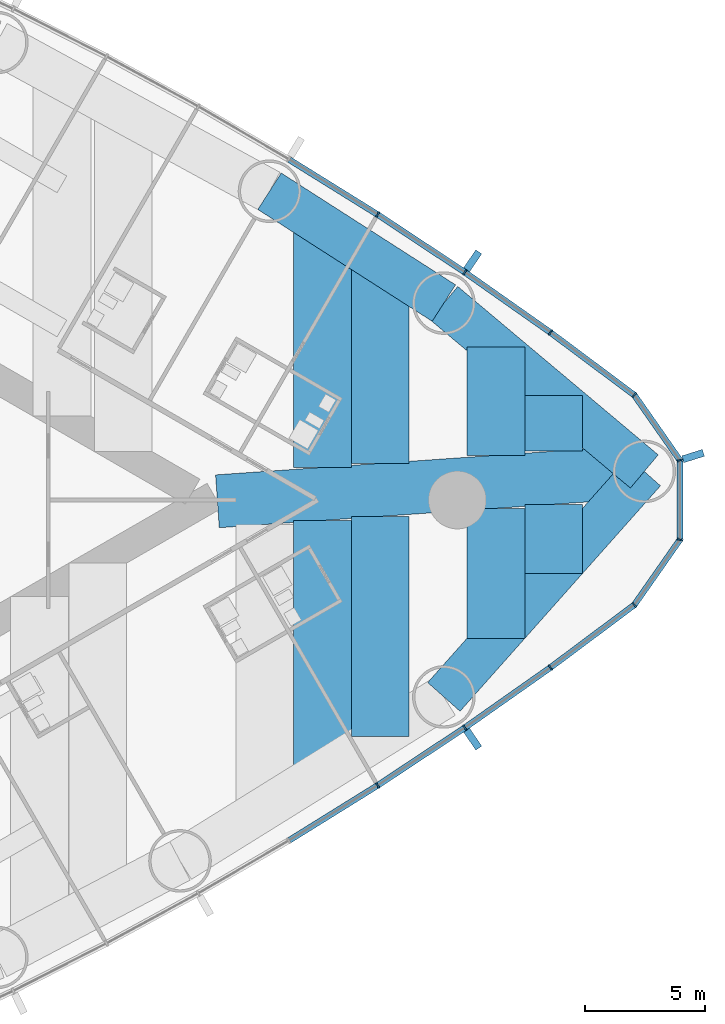
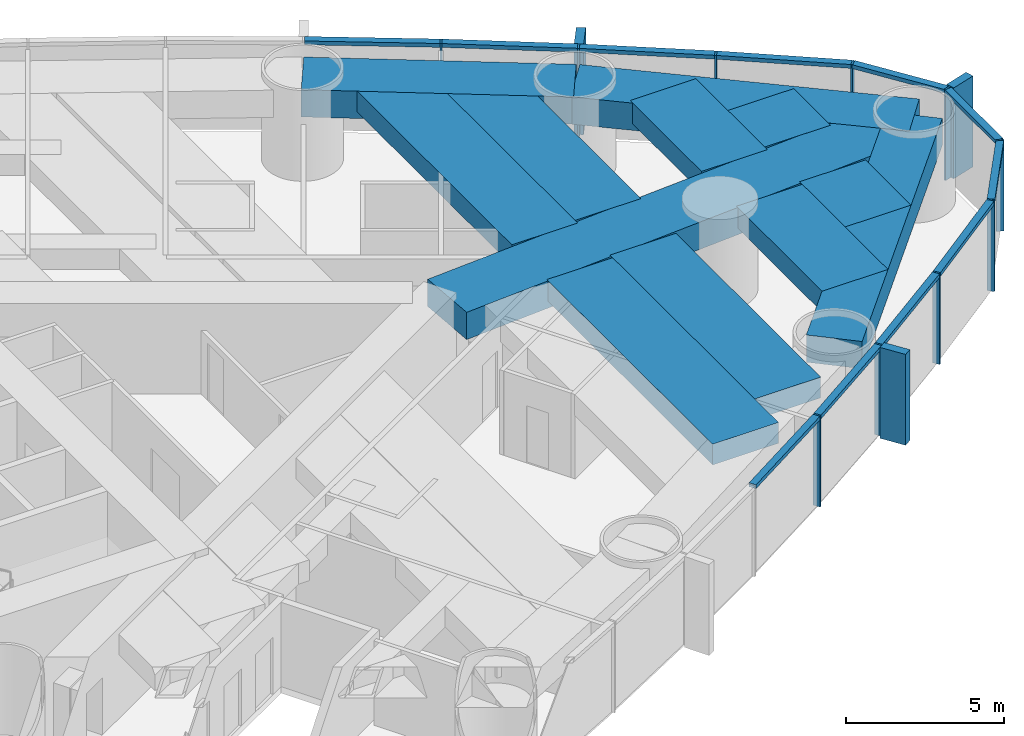
# One storey, part 8 of 18: 24 members, 12 beams, 1 element without a shape of its own.
"""IFC4 building model written with IfcOpenShell, lengths in metres."""

from ifc_helpers import new_model, si_unit, direction, frame, origin, origin_2d, place, context, subcontext, project, spatial, rectangle, extrude, material, material_profile, profile_set, type_object, element, aggregate, save


model = new_model("IFC4")

# Units and contexts
model_context = context("Model", 3, precision=1e-05, world=origin(), true_north=direction((0.0, 1.0)))
body_context = subcontext(model_context, "Body", "Model", "MODEL_VIEW")
ifc_project = project(units=[si_unit("LENGTHUNIT", "METRE"), si_unit("AREAUNIT", "SQUARE_METRE"), si_unit("VOLUMEUNIT", "CUBIC_METRE"), si_unit("PLANEANGLEUNIT", "RADIAN"), si_unit("MASSUNIT", "GRAM", prefix="KILO")], contexts=[model_context])

# Site, building, storey
site_placement = place(None, origin())
site = spatial("IfcSite", under=ifc_project, at=site_placement, CompositionType="ELEMENT")
building_placement = place(site_placement, origin())
building = spatial("IfcBuilding", under=site, at=building_placement, Name="Lancet Gate Hotel", CompositionType="ELEMENT")
storey_placement = place(building_placement, frame((0.0, 0.0, 115.10009765625)))
storey = spatial("IfcBuildingStorey", under=building, at=storey_placement, Name="L30", CompositionType="ELEMENT", Elevation=115.10009765625)

# Curtain wall, members
ifc_material_1 = material(Name="Aluminium curtain wall", Category="aluminium")
curtain_wall_type = type_object("IfcCurtainWallType", Name="Tower unitised curtain wall", PredefinedType="USERDEFINED", material=ifc_material_1)
curtain_wall_placement = place(storey_placement, origin())
curtain_wall = element("IfcCurtainWall", 1, at=curtain_wall_placement, inside=storey, type_object=curtain_wall_type, Name="T2 L30 curtain wall 1", ObjectType="UNITISED CURTAIN WALL", PredefinedType="USERDEFINED")
ifc_material_2 = material(Name="Aluminium mullion", Category="aluminium")
ifc_material_profile_1 = material_profile(ifc_material_2, rectangle(XDim=0.06494140625, YDim=0.25, at=origin_2d()), Name="MULLION 65x250")
ifc_profile_set_1 = profile_set([ifc_material_profile_1], Name="Aluminium mullion")
member_type_1 = type_object("IfcMemberType", Name="Aluminium mullion 65x250", PredefinedType="MULLION", material=ifc_profile_set_1)
member_1_placement = place(storey_placement, frame((58.188720703125, -11.8603515625, 0.0), z_axis=(0.0, 0.0, 1.0), x_axis=(0.841736224144, 0.539888996891, 0.0)))
member_1 = element("IfcMember", 2, at=member_1_placement, type_object=member_type_1, Name="T2 L30 curtain wall 1 mullion 13", PredefinedType="MULLION", context=body_context, shape_type="SweptSolid", body=[
    extrude(rectangle(XDim=0.06494140625, YDim=0.25, at=origin_2d()), origin(), (0.0, 0.0, 1.0), 3.5),
])
member_2_placement = place(storey_placement, frame((61.814208984375, -9.461669921875, 0.0), z_axis=(0.0, 0.0, 1.0), x_axis=(0.826065510491, 0.563574105489, 0.0)))
member_2 = element("IfcMember", 3, at=member_2_placement, type_object=member_type_1, Name="T2 L30 curtain wall 1 mullion 14", PredefinedType="MULLION", context=body_context, shape_type="SweptSolid", body=[
    extrude(rectangle(XDim=0.06494140625, YDim=0.25, at=origin_2d()), origin(), (0.0, 0.0, 1.0), 3.5),
])
member_3_placement = place(storey_placement, frame((65.370361328125, -6.9609375, 0.0), z_axis=(0.0, 0.0, 1.0), x_axis=(0.809728529035, 0.586804660229, 0.0)))
member_3 = element("IfcMember", 4, at=member_3_placement, type_object=member_type_1, Name="T2 L30 curtain wall 1 mullion 15", PredefinedType="MULLION", context=body_context, shape_type="SweptSolid", body=[
    extrude(rectangle(XDim=0.06494140625, YDim=0.25, at=origin_2d()), origin(), (0.0, 0.0, 1.0), 3.5),
])
member_4_placement = place(storey_placement, frame((68.853759765625, -4.360107421875, 0.0), z_axis=(0.0, 0.0, 1.0), x_axis=(0.711610374907, 0.702574319432, 0.0)))
member_4 = element("IfcMember", 5, at=member_4_placement, type_object=member_type_1, Name="T2 L30 curtain wall 1 mullion 16", PredefinedType="MULLION", context=body_context, shape_type="SweptSolid", body=[
    extrude(rectangle(XDim=0.06494140625, YDim=0.25, at=origin_2d()), origin(), (0.0, 0.0, 1.0), 3.5),
])
member_5_placement = place(storey_placement, frame((70.747314453125, -1.652099609375, 0.0), z_axis=(0.0, 0.0, 1.0), x_axis=(0.300384890639, 0.953818073574, 0.0)))
member_5 = element("IfcMember", 6, at=member_5_placement, type_object=member_type_1, Name="T2 L30 curtain wall 1 mullion 17", PredefinedType="MULLION", context=body_context, shape_type="SweptSolid", body=[
    extrude(rectangle(XDim=0.06494140625, YDim=0.25, at=origin_2d()), origin(), (0.0, 0.0, 1.0), 3.5),
])
member_6_placement = place(storey_placement, frame((70.747314453125, 1.652099609375, 0.0), z_axis=(0.0, 0.0, 1.0), x_axis=(-0.300384890639, 0.953818073574, 0.0)))
member_6 = element("IfcMember", 7, at=member_6_placement, type_object=member_type_1, Name="T2 L30 curtain wall 1 mullion 18", PredefinedType="MULLION", context=body_context, shape_type="SweptSolid", body=[
    extrude(rectangle(XDim=0.06494140625, YDim=0.25, at=origin_2d()), origin(), (0.0, 0.0, 1.0), 3.5),
])
member_7_placement = place(storey_placement, frame((68.853759765625, 4.360107421875, 0.0), z_axis=(0.0, 0.0, 1.0), x_axis=(-0.711610374907, 0.702574319432, 0.0)))
member_7 = element("IfcMember", 8, at=member_7_placement, type_object=member_type_1, Name="T2 L30 curtain wall 1 mullion 19", PredefinedType="MULLION", context=body_context, shape_type="SweptSolid", body=[
    extrude(rectangle(XDim=0.06494140625, YDim=0.25, at=origin_2d()), origin(), (0.0, 0.0, 1.0), 3.5),
])
member_8_placement = place(storey_placement, frame((65.370361328125, 6.9609375, 0.0), z_axis=(0.0, 0.0, 1.0), x_axis=(-0.809728529035, 0.586804660229, 0.0)))
member_8 = element("IfcMember", 9, at=member_8_placement, type_object=member_type_1, Name="T2 L30 curtain wall 1 mullion 20", PredefinedType="MULLION", context=body_context, shape_type="SweptSolid", body=[
    extrude(rectangle(XDim=0.06494140625, YDim=0.25, at=origin_2d()), origin(), (0.0, 0.0, 1.0), 3.5),
])
member_9_placement = place(storey_placement, frame((61.814208984375, 9.461669921875, 0.0), z_axis=(0.0, 0.0, 1.0), x_axis=(-0.826065510491, 0.563574105489, 0.0)))
member_9 = element("IfcMember", 10, at=member_9_placement, type_object=member_type_1, Name="T2 L30 curtain wall 1 mullion 21", PredefinedType="MULLION", context=body_context, shape_type="SweptSolid", body=[
    extrude(rectangle(XDim=0.06494140625, YDim=0.25, at=origin_2d()), origin(), (0.0, 0.0, 1.0), 3.5),
])
member_10_placement = place(storey_placement, frame((58.188720703125, 11.8603515625, 0.0), z_axis=(0.0, 0.0, 1.0), x_axis=(-0.841736224144, 0.539888996891, 0.0)))
member_10 = element("IfcMember", 11, at=member_10_placement, type_object=member_type_1, Name="T2 L30 curtain wall 1 mullion 22", PredefinedType="MULLION", context=body_context, shape_type="SweptSolid", body=[
    extrude(rectangle(XDim=0.06494140625, YDim=0.25, at=origin_2d()), origin(), (0.0, 0.0, 1.0), 3.5),
])
ifc_material_3 = material(Name="Aluminium transom", Category="aluminium")
ifc_material_profile_2 = material_profile(ifc_material_3, rectangle(XDim=0.25, YDim=0.14990234375, at=origin_2d()), Name="TRANSOM 250x150")
ifc_profile_set_2 = profile_set([ifc_material_profile_2], Name="Aluminium transom")
member_type_2 = type_object("IfcMemberType", Name="Aluminium transom 250x150", PredefinedType="USERDEFINED", material=ifc_profile_set_2)
member_11_placement = place(storey_placement, frame((54.52392578125, -14.13818359375, 3.4248046875), z_axis=(0.849308812566, 0.527896335371, 0.0), x_axis=(-0.527896335371, 0.849308812566, 0.0)))
member_11 = element("IfcMember", 12, at=member_11_placement, type_object=member_type_2, Name="T2 L30 curtain wall 1 transom 12", ObjectType="TRANSOM", PredefinedType="USERDEFINED", context=body_context, shape_type="SweptSolid", body=[
    extrude(rectangle(XDim=0.25, YDim=0.14990234375, at=origin_2d()), origin(), (0.0, 0.0, 1.0), 4.282470703125),
])
member_12_placement = place(storey_placement, frame((58.2158203125, -11.842529296875, 3.4248046875), z_axis=(0.833966159038, 0.551815590192, 0.0), x_axis=(-0.551815590192, 0.833966159038, 0.0)))
member_12 = element("IfcMember", 13, at=member_12_placement, type_object=member_type_2, Name="T2 L30 curtain wall 1 transom 13", ObjectType="TRANSOM", PredefinedType="USERDEFINED", context=body_context, shape_type="SweptSolid", body=[
    extrude(rectangle(XDim=0.25, YDim=0.14990234375, at=origin_2d()), origin(), (0.0, 0.0, 1.0), 4.2822265625),
])
member_13_placement = place(storey_placement, frame((61.8408203125, -9.44287109375, 3.4248046875), z_axis=(0.817987243547, 0.57523635959, 0.0), x_axis=(-0.57523635959, 0.817987243547, 0.0)))
member_13 = element("IfcMember", 14, at=member_13_placement, type_object=member_type_2, Name="T2 L30 curtain wall 1 transom 14", ObjectType="TRANSOM", PredefinedType="USERDEFINED", context=body_context, shape_type="SweptSolid", body=[
    extrude(rectangle(XDim=0.25, YDim=0.14990234375, at=origin_2d()), origin(), (0.0, 0.0, 1.0), 4.282470703125),
])
member_14_placement = place(storey_placement, frame((65.396240234375, -6.94140625, 3.4248046875), z_axis=(0.801311559064, 0.598247261014, 0.0), x_axis=(-0.598247261014, 0.801311559064, 0.0)))
member_14 = element("IfcMember", 15, at=member_14_placement, type_object=member_type_2, Name="T2 L30 curtain wall 1 transom 15", ObjectType="TRANSOM", PredefinedType="USERDEFINED", context=body_context, shape_type="SweptSolid", body=[
    extrude(rectangle(XDim=0.25, YDim=0.14990234375, at=origin_2d()), origin(), (0.0, 0.0, 1.0), 4.282470703125),
])
member_15_placement = place(storey_placement, frame((68.87255859375, -4.33349609375, 3.4248046875), z_axis=(0.573017137751, 0.819543384967, 0.0), x_axis=(-0.819543384967, 0.573017137751, 0.0)))
member_15 = element("IfcMember", 16, at=member_15_placement, type_object=member_type_2, Name="T2 L30 curtain wall 1 transom 16", ObjectType="TRANSOM", PredefinedType="USERDEFINED", context=body_context, shape_type="SweptSolid", body=[
    extrude(rectangle(XDim=0.25, YDim=0.14990234375, at=origin_2d()), origin(), (0.0, 0.0, 1.0), 3.2392578125),
])
member_16_placement = place(storey_placement, frame((70.747314453125, -1.61962890625, 3.4248046875), z_axis=(0.0, 1.0, 0.0), x_axis=(-1.0, 0.0, 0.0)))
member_16 = element("IfcMember", 17, at=member_16_placement, type_object=member_type_2, Name="T2 L30 curtain wall 1 transom 17", ObjectType="TRANSOM", PredefinedType="USERDEFINED", context=body_context, shape_type="SweptSolid", body=[
    extrude(rectangle(XDim=0.25, YDim=0.14990234375, at=origin_2d()), origin(), (0.0, 0.0, 1.0), 3.2392578125),
])
member_17_placement = place(storey_placement, frame((70.728759765625, 1.6787109375, 3.4248046875), z_axis=(-0.573017137751, 0.819543384967, 0.0), x_axis=(-0.819543384967, -0.573017137751, 0.0)))
member_17 = element("IfcMember", 18, at=member_17_placement, type_object=member_type_2, Name="T2 L30 curtain wall 1 transom 18", ObjectType="TRANSOM", PredefinedType="USERDEFINED", context=body_context, shape_type="SweptSolid", body=[
    extrude(rectangle(XDim=0.25, YDim=0.14990234375, at=origin_2d()), origin(), (0.0, 0.0, 1.0), 3.2392578125),
])
member_18_placement = place(storey_placement, frame((68.827880859375, 4.37939453125, 3.4248046875), z_axis=(-0.801311559064, 0.598247261014, 0.0), x_axis=(-0.598247261014, -0.801311559064, 0.0)))
member_18 = element("IfcMember", 19, at=member_18_placement, type_object=member_type_2, Name="T2 L30 curtain wall 1 transom 19", ObjectType="TRANSOM", PredefinedType="USERDEFINED", context=body_context, shape_type="SweptSolid", body=[
    extrude(rectangle(XDim=0.25, YDim=0.14990234375, at=origin_2d()), origin(), (0.0, 0.0, 1.0), 4.282470703125),
])
member_19_placement = place(storey_placement, frame((65.34375, 6.9794921875, 3.4248046875), z_axis=(-0.817987243547, 0.57523635959, 0.0), x_axis=(-0.57523635959, -0.817987243547, 0.0)))
member_19 = element("IfcMember", 20, at=member_19_placement, type_object=member_type_2, Name="T2 L30 curtain wall 1 transom 20", ObjectType="TRANSOM", PredefinedType="USERDEFINED", context=body_context, shape_type="SweptSolid", body=[
    extrude(rectangle(XDim=0.25, YDim=0.14990234375, at=origin_2d()), origin(), (0.0, 0.0, 1.0), 4.282470703125),
])
member_20_placement = place(storey_placement, frame((61.787109375, 9.4794921875, 3.4248046875), z_axis=(-0.833966159038, 0.551815590192, 0.0), x_axis=(-0.551815590192, -0.833966159038, 0.0)))
member_20 = element("IfcMember", 21, at=member_20_placement, type_object=member_type_2, Name="T2 L30 curtain wall 1 transom 21", ObjectType="TRANSOM", PredefinedType="USERDEFINED", context=body_context, shape_type="SweptSolid", body=[
    extrude(rectangle(XDim=0.25, YDim=0.14990234375, at=origin_2d()), origin(), (0.0, 0.0, 1.0), 4.2822265625),
])
member_21_placement = place(storey_placement, frame((58.1611328125, 11.87744140625, 3.4248046875), z_axis=(-0.849308812566, 0.527896335371, 0.0), x_axis=(-0.527896335371, -0.849308812566, 0.0)))
member_21 = element("IfcMember", 22, at=member_21_placement, type_object=member_type_2, Name="T2 L30 curtain wall 1 transom 22", ObjectType="TRANSOM", PredefinedType="USERDEFINED", context=body_context, shape_type="SweptSolid", body=[
    extrude(rectangle(XDim=0.25, YDim=0.14990234375, at=origin_2d()), origin(), (0.0, 0.0, 1.0), 4.282470703125),
])

# Beams
ifc_material_4 = material(Name="Concrete C50/60", Category="concrete")
ifc_material_profile_3 = material_profile(ifc_material_4, rectangle(XDim=1.800048828125, YDim=1.050048828125, at=origin_2d()), Name="RC 1800x1050")
ifc_profile_set_3 = profile_set([ifc_material_profile_3], Name="Concrete C50/60")
beam_type_1 = type_object("IfcBeamType", Name="Edge beam RC 1800x1050", PredefinedType="SPANDREL", material=ifc_profile_set_3)
beam_1_placement = place(storey_placement, frame((60.940673828125, -8.18115234375, 2.724853515625), z_axis=(0.664421866815, 0.74735773422, 0.0), x_axis=(-0.74735773422, 0.664421866815, 0.0)))
element("IfcBeam", 23, at=beam_1_placement, inside=storey, type_object=beam_type_1, Name="T2 edge beam EB1 L30", PredefinedType="SPANDREL", context=body_context, shape_type="SweptSolid", body=[
    extrude(rectangle(XDim=1.800048828125, YDim=1.050048828125, at=origin_2d()), origin(), (0.0, 0.0, 1.0), 12.534423828125),
])
beam_2_placement = place(storey_placement, frame((69.268798828125, 1.1865234375, 2.724853515625), z_axis=(-0.765749969712, 0.643138386264, 0.0), x_axis=(-0.643138386264, -0.765749969712, 0.0)))
element("IfcBeam", 24, at=beam_2_placement, inside=storey, type_object=beam_type_1, Name="T2 edge beam EB1 L30", PredefinedType="SPANDREL", context=body_context, shape_type="SweptSolid", body=[
    extrude(rectangle(XDim=1.800048828125, YDim=1.050048828125, at=origin_2d()), origin(), (0.0, 0.0, 1.0), 10.875732421875),
])
beam_3_placement = place(storey_placement, frame((60.940673828125, 8.18115234375, 2.724853515625), z_axis=(-0.841727408736, 0.539902740669, 0.0), x_axis=(-0.539902740669, -0.841727408736, 0.0)))
element("IfcBeam", 25, at=beam_3_placement, inside=storey, type_object=beam_type_1, Name="T2 edge beam EB1 L30", PredefinedType="SPANDREL", context=body_context, shape_type="SweptSolid", body=[
    extrude(rectangle(XDim=1.800048828125, YDim=1.050048828125, at=origin_2d()), origin(), (0.0, 0.0, 1.0), 8.605712890625),
])

# Member
ifc_material_5 = material(Name="Precast concrete C50/60", Category="concrete")
ifc_material_profile_4 = material_profile(ifc_material_5, rectangle(XDim=0.300048828125, YDim=0.89990234375, at=origin_2d()), Name="FIN 300x900")
ifc_profile_set_4 = profile_set([ifc_material_profile_4], Name="Precast concrete C50/60")
member_type_3 = type_object("IfcMemberType", Name="Exposed concrete fin 300x900", PredefinedType="USERDEFINED", material=ifc_profile_set_4)
member_22_placement = place(storey_placement, frame((62.138427734375, -9.9365234375, 0.0), z_axis=(0.0, 0.0, 1.0), x_axis=(0.826065510491, 0.563574105489, 0.0)))
member_22 = element("IfcMember", 26, at=member_22_placement, type_object=member_type_3, Name="T2 L30 curtain wall 1 fin 14", ObjectType="FIN", PredefinedType="USERDEFINED", context=body_context, shape_type="SweptSolid", body=[
    extrude(rectangle(XDim=0.300048828125, YDim=0.89990234375, at=origin_2d()), origin(), (0.0, 0.0, 1.0), 3.5),
])

member_23_placement = place(storey_placement, frame((71.295654296875, 1.824951171875, 0.0), z_axis=(0.0, 0.0, 1.0), x_axis=(-0.300384890639, 0.953818073574, 0.0)))
member_23 = element("IfcMember", 27, at=member_23_placement, type_object=member_type_3, Name="T2 L30 curtain wall 1 fin 18", ObjectType="FIN", PredefinedType="USERDEFINED", context=body_context, shape_type="SweptSolid", body=[
    extrude(rectangle(XDim=0.300048828125, YDim=0.89990234375, at=origin_2d()), origin(), (0.0, 0.0, 1.0), 3.5),
])

member_24_placement = place(storey_placement, frame((62.138427734375, 9.9365234375, 0.0), z_axis=(0.0, 0.0, 1.0), x_axis=(-0.826065510491, 0.563574105489, 0.0)))
member_24 = element("IfcMember", 28, at=member_24_placement, type_object=member_type_3, Name="T2 L30 curtain wall 1 fin 21", ObjectType="FIN", PredefinedType="USERDEFINED", context=body_context, shape_type="SweptSolid", body=[
    extrude(rectangle(XDim=0.300048828125, YDim=0.89990234375, at=origin_2d()), origin(), (0.0, 0.0, 1.0), 3.5),
])

aggregate(curtain_wall, [member_1, member_2, member_22, member_3, member_4, member_5, member_6, member_23, member_7, member_8, member_9, member_24, member_10, member_11, member_12, member_13, member_14, member_15, member_16, member_17, member_18, member_19, member_20, member_21])

# Beams
ifc_material_6 = material(Name="Concrete C50/60", Category="concrete")
ifc_material_profile_5 = material_profile(ifc_material_6, rectangle(XDim=2.39990234375, YDim=0.800048828125, at=origin_2d()), Name="RC 2400x800")
ifc_profile_set_5 = profile_set([ifc_material_profile_5], Name="Concrete C50/60")
beam_type_2 = type_object("IfcBeamType", Name="Floor beam RC 2400x800", PredefinedType="BEAM", material=ifc_profile_set_5)
beam_4_placement = place(storey_placement, frame((55.90234375, -11.312744140625, 2.849853515625), z_axis=(0.0, 1.0, 0.0), x_axis=(-1.0, 0.0, 0.0)))
element("IfcBeam", 29, at=beam_4_placement, inside=storey, type_object=beam_type_2, Name="T2 floor beam F14S L30", PredefinedType="BEAM", context=body_context, shape_type="SweptSolid", body=[
    extrude(rectangle(XDim=2.39990234375, YDim=0.800048828125, at=origin_2d()), origin(), (0.0, 0.0, 1.0), 10.4619140625),
])
beam_5_placement = place(storey_placement, frame((55.90234375, 1.3544921875, 2.849853515625), z_axis=(0.0, 1.0, 0.0), x_axis=(-1.0, 0.0, 0.0)))
element("IfcBeam", 30, at=beam_5_placement, inside=storey, type_object=beam_type_2, Name="T2 floor beam F15N L30", PredefinedType="BEAM", context=body_context, shape_type="SweptSolid", body=[
    extrude(rectangle(XDim=2.39990234375, YDim=0.800048828125, at=origin_2d()), origin(), (0.0, 0.0, 1.0), 10.058349609375),
])
beam_6_placement = place(storey_placement, frame((58.30224609375, -9.821044921875, 2.849853515625), z_axis=(0.0, 1.0, 0.0), x_axis=(-1.0, 0.0, 0.0)))
element("IfcBeam", 31, at=beam_6_placement, inside=storey, type_object=beam_type_2, Name="T2 floor beam F16S L30", PredefinedType="BEAM", context=body_context, shape_type="SweptSolid", body=[
    extrude(rectangle(XDim=2.39990234375, YDim=0.800048828125, at=origin_2d()), origin(), (0.0, 0.0, 1.0), 9.137939453125),
])
beam_7_placement = place(storey_placement, frame((58.30224609375, 1.522216796875, 2.849853515625), z_axis=(0.0, 1.0, 0.0), x_axis=(-1.0, 0.0, 0.0)))
element("IfcBeam", 32, at=beam_7_placement, inside=storey, type_object=beam_type_2, Name="T2 floor beam F17N L30", PredefinedType="BEAM", context=body_context, shape_type="SweptSolid", body=[
    extrude(rectangle(XDim=2.39990234375, YDim=0.800048828125, at=origin_2d()), origin(), (0.0, 0.0, 1.0), 8.351318359375),
])
beam_8_placement = place(storey_placement, frame((63.102294921875, -5.75, 2.849853515625), z_axis=(0.0, 1.0, 0.0), x_axis=(-1.0, 0.0, 0.0)))
element("IfcBeam", 33, at=beam_8_placement, inside=storey, type_object=beam_type_2, Name="T2 floor beam F18S L30", PredefinedType="BEAM", context=body_context, shape_type="SweptSolid", body=[
    extrude(rectangle(XDim=2.39990234375, YDim=0.800048828125, at=origin_2d()), origin(), (0.0, 0.0, 1.0), 5.402587890625),
])
beam_9_placement = place(storey_placement, frame((63.102294921875, 1.85791015625, 2.849853515625), z_axis=(0.0, 1.0, 0.0), x_axis=(-1.0, 0.0, 0.0)))
element("IfcBeam", 34, at=beam_9_placement, inside=storey, type_object=beam_type_2, Name="T2 floor beam F19N L30", PredefinedType="BEAM", context=body_context, shape_type="SweptSolid", body=[
    extrude(rectangle(XDim=2.39990234375, YDim=0.800048828125, at=origin_2d()), origin(), (0.0, 0.0, 1.0), 4.5078125),
])
beam_10_placement = place(storey_placement, frame((65.502197265625, -3.05029296875, 2.849853515625), z_axis=(0.0, 1.0, 0.0), x_axis=(-1.0, 0.0, 0.0)))
element("IfcBeam", 35, at=beam_10_placement, inside=storey, type_object=beam_type_2, Name="T2 floor beam F20S L30", PredefinedType="BEAM", context=body_context, shape_type="SweptSolid", body=[
    extrude(rectangle(XDim=2.39990234375, YDim=0.800048828125, at=origin_2d()), origin(), (0.0, 0.0, 1.0), 2.87060546875),
])
beam_11_placement = place(storey_placement, frame((65.502197265625, 2.02587890625, 2.849853515625), z_axis=(0.0, 1.0, 0.0), x_axis=(-1.0, 0.0, 0.0)))
element("IfcBeam", 36, at=beam_11_placement, inside=storey, type_object=beam_type_2, Name="T2 floor beam F21N L30", PredefinedType="BEAM", context=body_context, shape_type="SweptSolid", body=[
    extrude(rectangle(XDim=2.39990234375, YDim=0.800048828125, at=origin_2d()), origin(), (0.0, 0.0, 1.0), 2.32421875),
])
ifc_material_7 = material(Name="Concrete C50/60", Category="concrete")
ifc_material_profile_6 = material_profile(ifc_material_7, rectangle(XDim=2.199951171875, YDim=1.050048828125, at=origin_2d()), Name="RC 2200x1050")
ifc_profile_set_6 = profile_set([ifc_material_profile_6], Name="Concrete C50/60")
beam_type_3 = type_object("IfcBeamType", Name="Radial floor beam RC 2200x1050", PredefinedType="BEAM", material=ifc_profile_set_6)
beam_12_placement = place(storey_placement, frame((69.268798828125, 1.1865234375, 2.724853515625), z_axis=(-0.99756389092, -0.069758752369, 0.0), x_axis=(0.069758752369, -0.99756389092, 0.0)))
element("IfcBeam", 37, at=beam_12_placement, inside=storey, type_object=beam_type_3, Name="T2 radial beam CA L30", PredefinedType="BEAM", context=body_context, shape_type="SweptSolid", body=[
    extrude(rectangle(XDim=2.199951171875, YDim=1.050048828125, at=origin_2d()), origin(), (0.0, 0.0, 1.0), 17.77880859375),
])

save(model, "model.ifc")
